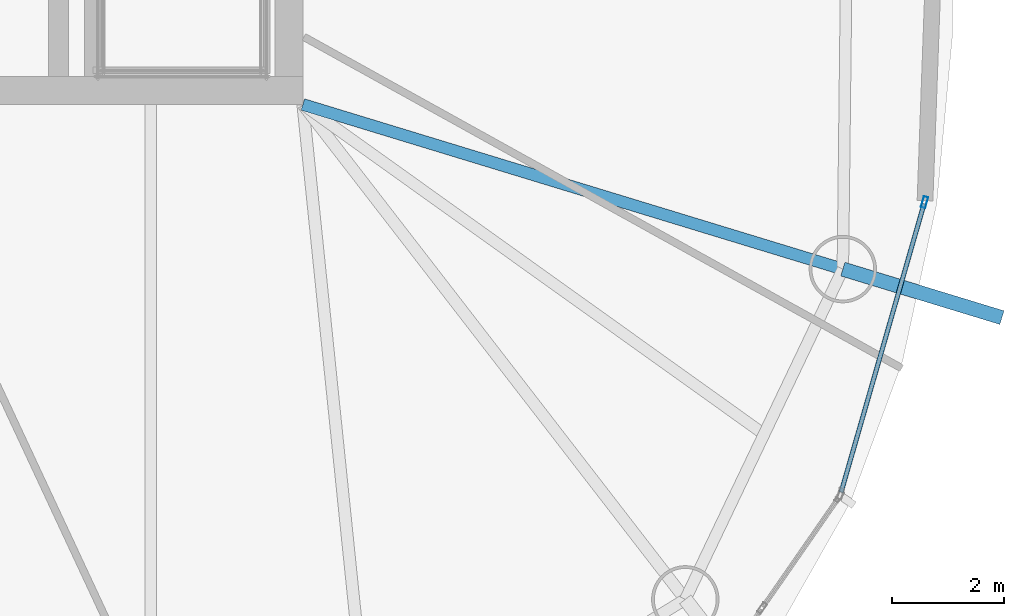
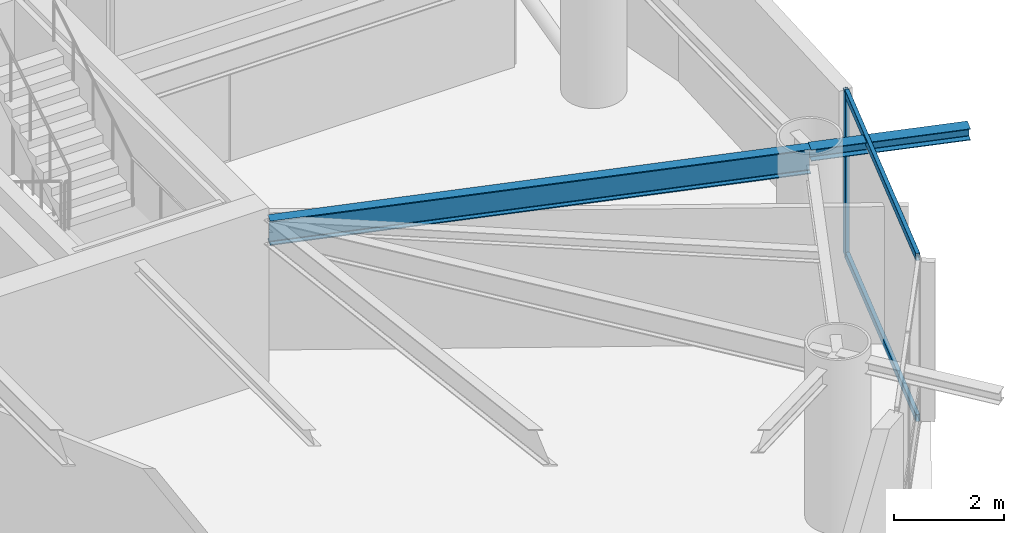
# One storey, part 7 of 22: 3 members, 2 beams, 1 element without a shape of its own.
"""IFC4 building model written with IfcOpenShell, lengths in metres."""

from ifc_helpers import new_model, si_unit, direction, frame, origin, origin_2d, place, context, subcontext, project, spatial, hollow_rectangle, i_section, extrude, material, layer, layer_set, material_profile, profile_set, type_object, element, aggregate, save


model = new_model("IFC4")

# Units and contexts
model_context = context("Model", 3, precision=1e-05, world=origin(), true_north=direction((0.0, 1.0)))
body_context = subcontext(model_context, "Body", "Model", "MODEL_VIEW")
ifc_project = project(units=[si_unit("LENGTHUNIT", "METRE"), si_unit("AREAUNIT", "SQUARE_METRE"), si_unit("VOLUMEUNIT", "CUBIC_METRE"), si_unit("PLANEANGLEUNIT", "RADIAN"), si_unit("MASSUNIT", "GRAM", prefix="KILO")], contexts=[model_context])

# Site, building, storey
site_placement = place(None, origin())
site = spatial("IfcSite", under=ifc_project, at=site_placement, CompositionType="ELEMENT")
building_placement = place(site_placement, origin())
building = spatial("IfcBuilding", under=site, at=building_placement, Name="Bramvorn Convention Spire", CompositionType="ELEMENT")
storey_placement = place(building_placement, frame((0.0, 0.0, 213.550048828125)))
storey = spatial("IfcBuildingStorey", under=building, at=storey_placement, Name="L54", CompositionType="ELEMENT", Elevation=213.550048828125)

# Beams
ifc_material_1 = material(Name="Steel CSA G40.21 Grade 350 (350W)", Category="steel")
ifc_material_profile_1 = material_profile(ifc_material_1, i_section(OverallWidth=0.25390625, OverallDepth=0.2529296875, WebThickness=0.008544921875, FlangeThickness=0.01416015625, FilletRadius=0.011962890625, at=origin_2d()))
ifc_profile_set_1 = profile_set([ifc_material_profile_1], Name="Steel CSA G40.21 Grade 350 (350W) - W250X73")
beam_type_1 = type_object("IfcBeamType", Name="BM-W250X73", PredefinedType="BEAM", material=ifc_profile_set_1)
beam_1_placement = place(storey_placement, frame((58.863037109375, 15.619384765625, 3.493408203125), z_axis=(0.956552969612, -0.291558598444, 0.0), x_axis=(0.291558598444, 0.956552969612, 0.0)))
element("IfcBeam", 1, at=beam_1_placement, inside=storey, type_object=beam_type_1, Name="L54 slab-edge cantilever tip beam MC02", PredefinedType="BEAM", context=body_context, shape_type="SweptSolid", body=[
    extrude(i_section(OverallWidth=0.25390625, OverallDepth=0.2529296875, WebThickness=0.008544921875, FlangeThickness=0.01416015625, FilletRadius=0.011962890625, at=origin_2d()), origin(), (0.0, 0.0, 1.0), 2.9609375),
])
ifc_material_profile_2 = material_profile(ifc_material_1, i_section(OverallWidth=0.2119140625, OverallDepth=0.5439453125, WebThickness=0.01318359375, FlangeThickness=0.021240234375, FilletRadius=0.01904296875, at=origin_2d()))
ifc_profile_set_2 = profile_set([ifc_material_profile_2], Name="Steel CSA G40.21 Grade 350 (350W) - W530X123")
beam_type_2 = type_object("IfcBeamType", Name="BM-W530X123", PredefinedType="BEAM", material=ifc_profile_set_2)
beam_2_placement = place(storey_placement, frame((49.25, 18.550048828125, 3.347900390625), z_axis=(0.95653637984, -0.291613021044, 0.0), x_axis=(0.291613021044, 0.95653637984, 0.0)))
element("IfcBeam", 2, at=beam_2_placement, inside=storey, type_object=beam_type_2, Name="L54 radial floor girder MC02", PredefinedType="BEAM", context=body_context, shape_type="SweptSolid", body=[
    extrude(i_section(OverallWidth=0.2119140625, OverallDepth=0.5439453125, WebThickness=0.01318359375, FlangeThickness=0.021240234375, FilletRadius=0.01904296875, at=origin_2d()), origin(), (0.0, 0.0, 1.0), 10.0498046875),
])

# Curtain wall, members
ifc_material_2 = material(Name="Anodised Bronze Unitised Curtain Wall", Category="aluminium")
ifc_layer = layer(ifc_material_2, 0.179931640625)
ifc_layer_set = layer_set([ifc_layer], Name="Anodised Bronze Unitised Curtain Wall - CW-OFF-FRIT")
curtain_wall_type = type_object("IfcCurtainWallType", Name="CW-OFF-FRIT", PredefinedType="USERDEFINED", material=ifc_layer_set)
curtain_wall_placement = place(storey_placement, origin())
curtain_wall = element("IfcCurtainWall", 3, at=curtain_wall_placement, inside=storey, type_object=curtain_wall_type, Name="L54 fritted glass curtain wall 02", ObjectType="UNITISED CURTAIN WALL", PredefinedType="USERDEFINED")
ifc_material_3 = material(Name="Anodised Bronze Aluminium 6063-T6", Category="aluminium")
ifc_material_profile_3 = material_profile(ifc_material_3, hollow_rectangle(XDim=0.080078125, YDim=0.199951171875, WallThickness=0.00390625, InnerFilletRadius=0.0009765625, OuterFilletRadius=0.00390625, at=origin_2d()))
ifc_profile_set_3 = profile_set([ifc_material_profile_3], Name="Anodised Bronze Aluminium 6063-T6 - CWM80X200")
member_type_1 = type_object("IfcMemberType", Name="CW-MUL-180", PredefinedType="MULLION", material=ifc_profile_set_3)
member_1_placement = place(storey_placement, frame((60.31787109375, 16.81103515625, 0.0), z_axis=(0.0, 0.0, 1.0), x_axis=(0.961036981373, -0.276419826411, 0.0)))
member_1 = element("IfcMember", 4, at=member_1_placement, type_object=member_type_1, Name="CW3 mullion 1", PredefinedType="MULLION", context=body_context, shape_type="SweptSolid", body=[
    extrude(hollow_rectangle(XDim=0.080078125, YDim=0.199951171875, WallThickness=0.00390625, InnerFilletRadius=0.0009765625, OuterFilletRadius=0.00390625, at=origin_2d()), origin(), (0.0, 0.0, 1.0), 3.619873046875),
])
ifc_material_profile_4 = material_profile(ifc_material_3, hollow_rectangle(XDim=0.080078125, YDim=0.159912109375, WallThickness=0.00390625, InnerFilletRadius=0.0009765625, OuterFilletRadius=0.00390625, at=origin_2d()))
ifc_profile_set_4 = profile_set([ifc_material_profile_4], Name="Anodised Bronze Aluminium 6063-T6 - CWT80X160")
member_type_2 = type_object("IfcMemberType", Name="CW-TRN-150", PredefinedType="USERDEFINED", material=ifc_profile_set_4)
member_2_placement = place(storey_placement, frame((60.3095703125, 16.7822265625, 0.030029296875), z_axis=(-0.276416071376, -0.961038061413, 0.0), x_axis=(0.961038061413, -0.276416071376, 0.0)))
member_2 = element("IfcMember", 5, at=member_2_placement, type_object=member_type_2, Name="CW3 transom 1.1", ObjectType="TRANSOM", PredefinedType="USERDEFINED", context=body_context, shape_type="SweptSolid", body=[
    extrude(hollow_rectangle(XDim=0.080078125, YDim=0.159912109375, WallThickness=0.00390625, InnerFilletRadius=0.0009765625, OuterFilletRadius=0.00390625, at=origin_2d()), origin(), (0.0, 0.0, 1.0), 5.344482421875),
])
member_3_placement = place(storey_placement, frame((60.3095703125, 16.7822265625, 3.58984375), z_axis=(-0.276416071376, -0.961038061413, 0.0), x_axis=(0.961038061413, -0.276416071376, 0.0)))
member_3 = element("IfcMember", 6, at=member_3_placement, type_object=member_type_2, Name="CW3 transom 1.2", ObjectType="TRANSOM", PredefinedType="USERDEFINED", context=body_context, shape_type="SweptSolid", body=[
    extrude(hollow_rectangle(XDim=0.080078125, YDim=0.159912109375, WallThickness=0.00390625, InnerFilletRadius=0.0009765625, OuterFilletRadius=0.00390625, at=origin_2d()), origin(), (0.0, 0.0, 1.0), 5.344482421875),
])
aggregate(curtain_wall, [member_1, member_2, member_3])

save(model, "model.ifc")
